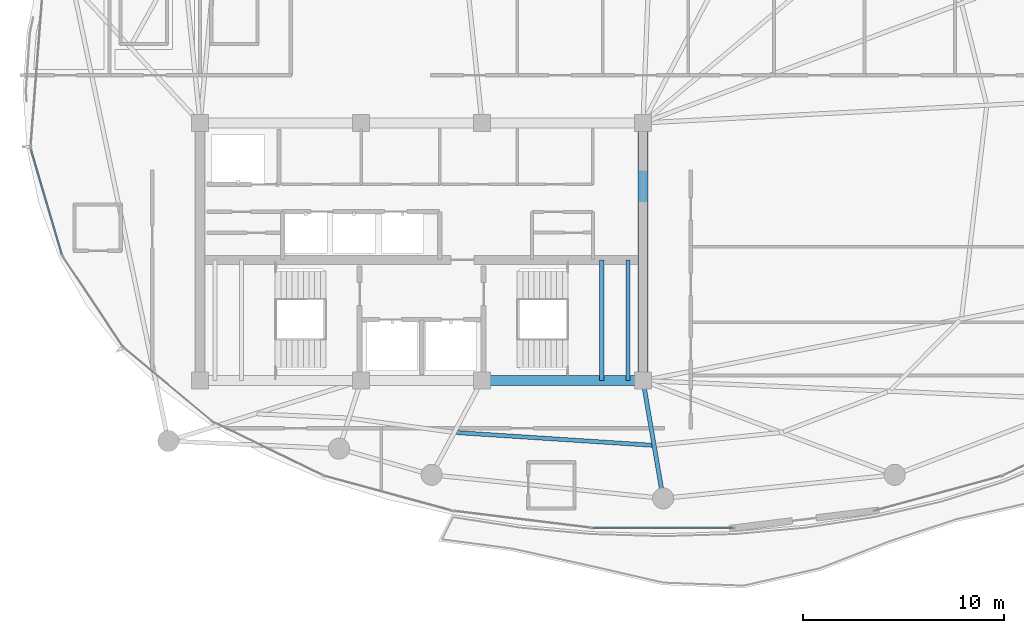
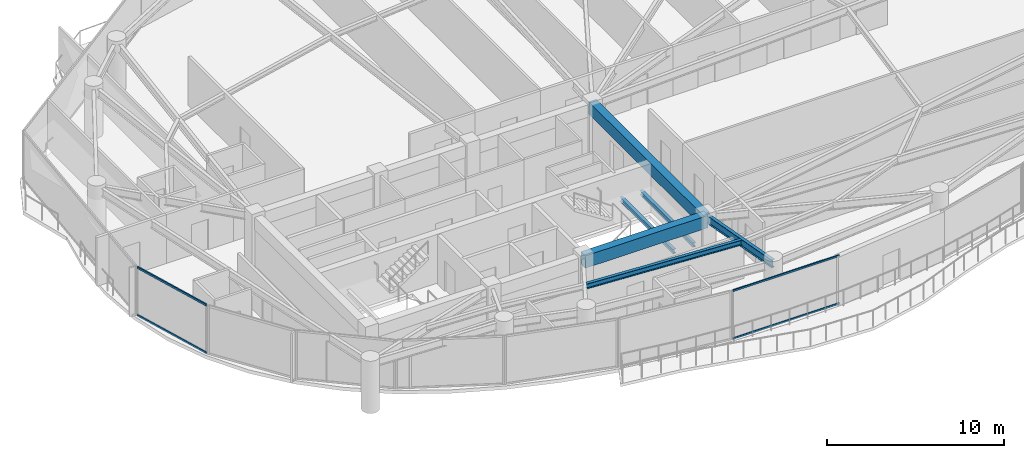
# One storey, part 7 of 31: 6 beams, 4 members, 2 elements without a shape of their own.
"""IFC4 building model written with IfcOpenShell, lengths in metres."""

from ifc_helpers import new_model, si_unit, direction, frame, origin, origin_2d, place, context, subcontext, project, spatial, rectangle, hollow_rectangle, i_section, extrude, material, layer, layer_set, material_profile, profile_set, type_object, element, aggregate, save


model = new_model("IFC4")

# Units and contexts
model_context = context("Model", 3, precision=1e-05, world=origin(), true_north=direction((0.0, 1.0)))
body_context = subcontext(model_context, "Body", "Model", "MODEL_VIEW")
ifc_project = project(units=[si_unit("LENGTHUNIT", "METRE"), si_unit("AREAUNIT", "SQUARE_METRE"), si_unit("VOLUMEUNIT", "CUBIC_METRE"), si_unit("PLANEANGLEUNIT", "RADIAN"), si_unit("MASSUNIT", "GRAM", prefix="KILO")], contexts=[model_context])

# Site, building, storey
site_placement = place(None, origin())
site = spatial("IfcSite", under=ifc_project, at=site_placement, CompositionType="ELEMENT")
building_placement = place(site_placement, origin())
building = spatial("IfcBuilding", under=site, at=building_placement, Name="Kazevale Care Tower and Concert Hall", CompositionType="ELEMENT")
storey_placement = place(building_placement, frame((0.0, 0.0, 220.800048828125)))
storey = spatial("IfcBuildingStorey", under=building, at=storey_placement, Name="L58", CompositionType="ELEMENT", Elevation=220.800048828125)

# Curtain wall, members
ifc_material_1 = material(Name="Aluminium 6063-T6 and Low-E Glass", Category="aluminium")
ifc_layer_1 = layer(ifc_material_1, 0.179931640625)
ifc_layer_set_1 = layer_set([ifc_layer_1], Name="Aluminium 6063-T6 and Low-E Glass")
curtain_wall_type_1 = type_object("IfcCurtainWallType", Name="Waist & Upper Residential Curtain Wall CW-4", PredefinedType="NOTDEFINED", material=ifc_layer_set_1)
curtain_wall_1_placement = place(storey_placement, origin())
curtain_wall_1 = element("IfcCurtainWall", 1, at=curtain_wall_1_placement, inside=storey, type_object=curtain_wall_type_1, Name="cw:L58:f12", PredefinedType="NOTDEFINED")
ifc_material_2 = material(Name="Aluminium 6063-T6", Category="aluminium")
ifc_material_profile_1 = material_profile(ifc_material_2, hollow_rectangle(XDim=0.080078125, YDim=0.139892578125, WallThickness=0.00390625, at=origin_2d()), Name="ALU80x140x4")
ifc_profile_set_1 = profile_set([ifc_material_profile_1], Name="Aluminium 6063-T6")
member_type_1 = type_object("IfcMemberType", Name="CW-4 Transom ALU80x140x4", PredefinedType="USERDEFINED", material=ifc_profile_set_1)
member_1_placement = place(storey_placement, frame((15.12548828125, 29.897705078125, 0.0400390625), z_axis=(-0.282102705943, 0.95938421047, 0.0), x_axis=(-0.95938421047, -0.282102705943, 0.0)))
member_1 = element("IfcMember", 2, at=member_1_placement, type_object=member_type_1, Name="CW-4 transom 1.1", ObjectType="TRANSOM", PredefinedType="USERDEFINED", context=body_context, shape_type="SweptSolid", body=[
    extrude(hollow_rectangle(XDim=0.080078125, YDim=0.139892578125, WallThickness=0.00390625, at=origin_2d()), origin(), (0.0, 0.0, 1.0), 5.402099609375),
])
member_2_placement = place(storey_placement, frame((15.12548828125, 29.897705078125, 3.320068359375), z_axis=(-0.282102705943, 0.95938421047, 0.0), x_axis=(-0.95938421047, -0.282102705943, 0.0)))
member_2 = element("IfcMember", 3, at=member_2_placement, type_object=member_type_1, Name="CW-4 transom 1.2", ObjectType="TRANSOM", PredefinedType="USERDEFINED", context=body_context, shape_type="SweptSolid", body=[
    extrude(hollow_rectangle(XDim=0.080078125, YDim=0.139892578125, WallThickness=0.00390625, at=origin_2d()), origin(), (0.0, 0.0, 1.0), 5.402099609375),
])
aggregate(curtain_wall_1, [member_1, member_2])

ifc_layer_2 = layer(ifc_material_1, 0.179931640625)
ifc_layer_set_2 = layer_set([ifc_layer_2], Name="Aluminium 6063-T6 and Low-E Glass")
curtain_wall_type_2 = type_object("IfcCurtainWallType", Name="Sheltered Concave Balcony Curtain Wall CW-5", PredefinedType="NOTDEFINED", material=ifc_layer_set_2)
curtain_wall_2_placement = place(storey_placement, origin())
curtain_wall_2 = element("IfcCurtainWall", 4, at=curtain_wall_2_placement, inside=storey, type_object=curtain_wall_type_2, Name="cw:L58:f06", PredefinedType="NOTDEFINED")
ifc_material_profile_2 = material_profile(ifc_material_2, hollow_rectangle(XDim=0.074951171875, YDim=0.1201171875, WallThickness=0.00390625, at=origin_2d()), Name="ALU75x120x4")
ifc_profile_set_2 = profile_set([ifc_material_profile_2], Name="Aluminium 6063-T6")
member_type_2 = type_object("IfcMemberType", Name="CW-5 Transom ALU75x120x4", PredefinedType="USERDEFINED", material=ifc_profile_set_2)
member_3_placement = place(storey_placement, frame((48.47509765625, 16.284912109375, 0.037353515625), z_axis=(-1.0, 0.0, 0.0), x_axis=(0.0, -1.0, 0.0)))
member_3 = element("IfcMember", 5, at=member_3_placement, type_object=member_type_2, Name="CW-5 transom 1.1", ObjectType="TRANSOM", PredefinedType="USERDEFINED", context=body_context, shape_type="SweptSolid", body=[
    extrude(hollow_rectangle(XDim=0.074951171875, YDim=0.1201171875, WallThickness=0.00390625, at=origin_2d()), origin(), (0.0, 0.0, 1.0), 6.9501953125),
])
member_4_placement = place(storey_placement, frame((48.47509765625, 16.284912109375, 3.322509765625), z_axis=(-1.0, 0.0, 0.0), x_axis=(0.0, -1.0, 0.0)))
member_4 = element("IfcMember", 6, at=member_4_placement, type_object=member_type_2, Name="CW-5 transom 1.2", ObjectType="TRANSOM", PredefinedType="USERDEFINED", context=body_context, shape_type="SweptSolid", body=[
    extrude(hollow_rectangle(XDim=0.074951171875, YDim=0.1201171875, WallThickness=0.00390625, at=origin_2d()), origin(), (0.0, 0.0, 1.0), 6.9501953125),
])
aggregate(curtain_wall_2, [member_3, member_4])

# Beams
ifc_material_3 = material(Name="Concrete C60", Category="concrete")
ifc_material_profile_3 = material_profile(ifc_material_3, rectangle(XDim=0.5, YDim=0.85009765625, at=origin_2d()), Name="RC-B500x850")
ifc_profile_set_3 = profile_set([ifc_material_profile_3], Name="Concrete C60")
beam_type_1 = type_object("IfcBeamType", Name="Core Coupling Beam RC500x850", PredefinedType="LINTEL", material=ifc_profile_set_3)
beam_1_placement = place(storey_placement, frame((36.0, 23.60009765625, 2.93505859375), z_axis=(1.0, 0.0, 0.0), x_axis=(0.0, 1.0, 0.0)))
element("IfcBeam", 7, at=beam_1_placement, inside=storey, type_object=beam_type_1, Name="beam:L58:coretie:3", PredefinedType="LINTEL", context=body_context, shape_type="SweptSolid", body=[
    extrude(rectangle(XDim=0.5, YDim=0.85009765625, at=origin_2d()), origin(), (0.0, 0.0, 1.0), 8.0),
])
beam_2_placement = place(storey_placement, frame((44.0, 23.60009765625, 2.93505859375), z_axis=(0.0, 1.0, 0.0), x_axis=(-1.0, 0.0, 0.0)))
element("IfcBeam", 8, at=beam_2_placement, inside=storey, type_object=beam_type_1, Name="beam:L58:coretie:4", PredefinedType="LINTEL", context=body_context, shape_type="SweptSolid", body=[
    extrude(rectangle(XDim=0.5, YDim=0.85009765625, at=origin_2d()), origin(), (0.0, 0.0, 1.0), 12.7998046875),
])
ifc_material_4 = material(Name="Steel ASTM A572 Gr 50", Category="steel")
ifc_material_profile_4 = material_profile(ifc_material_4, i_section(OverallWidth=0.2119140625, OverallDepth=0.5439453125, WebThickness=0.01318359375, FlangeThickness=0.021240234375, at=origin_2d()), Name="W530x123")
ifc_profile_set_4 = profile_set([ifc_material_profile_4], Name="Steel ASTM A572 Gr 50")
beam_type_2 = type_object("IfcBeamType", Name="Radial Floor Girder W530x123", PredefinedType="BEAM", material=ifc_profile_set_4)
beam_3_placement = place(storey_placement, frame((44.0, 23.60009765625, 3.087890625), z_axis=(0.168493389607, -0.985702783631, 0.0), x_axis=(0.985702783631, 0.168493389607, 0.0)))
element("IfcBeam", 9, at=beam_3_placement, inside=storey, type_object=beam_type_2, Name="beam:L58:rad:13", PredefinedType="BEAM", context=body_context, shape_type="SweptSolid", body=[
    extrude(i_section(OverallWidth=0.2119140625, OverallDepth=0.5439453125, WebThickness=0.01318359375, FlangeThickness=0.021240234375, at=origin_2d()), origin(), (0.0, 0.0, 1.0), 5.93505859375),
])
ifc_material_profile_5 = material_profile(ifc_material_4, i_section(OverallWidth=0.205078125, OverallDepth=0.35400390625, WebThickness=0.009521484375, FlangeThickness=0.016845703125, at=origin_2d()), Name="W360x79")
ifc_profile_set_5 = profile_set([ifc_material_profile_5], Name="Steel ASTM A572 Gr 50")
beam_type_3 = type_object("IfcBeamType", Name="Secondary Floor Joist W360x79", PredefinedType="JOIST", material=ifc_profile_set_5)
beam_4_placement = place(storey_placement, frame((34.72998046875, 21.01904296875, 3.182861328125), z_axis=(0.997903161374, -0.064724651559, 0.0), x_axis=(0.064724651559, 0.997903161374, 0.0)))
element("IfcBeam", 10, at=beam_4_placement, inside=storey, type_object=beam_type_3, Name="beam:L58:joist:12", PredefinedType="JOIST", context=body_context, shape_type="SweptSolid", body=[
    extrude(i_section(OverallWidth=0.205078125, OverallDepth=0.35400390625, WebThickness=0.009521484375, FlangeThickness=0.016845703125, at=origin_2d()), origin(), (0.0, 0.0, 1.0), 9.735595703125),
])
ifc_material_profile_6 = material_profile(ifc_material_4, i_section(OverallWidth=0.202880859375, OverallDepth=0.302978515625, WebThickness=0.007568359375, FlangeThickness=0.01318359375, at=origin_2d()), Name="W310x60")
ifc_profile_set_6 = profile_set([ifc_material_profile_6], Name="Steel ASTM A572 Gr 50")
beam_type_4 = type_object("IfcBeamType", Name="Stair & Balcony Trimmer W310x60", PredefinedType="BEAM", material=ifc_profile_set_6)
for number, where, z_axis, x_axis, name in (
    (11, (41.949951171875, 23.60009765625, 1.448486328125), (0.0, 1.0, 0.0), (-1.0, 0.0, 0.0), "beam:L58:sttrim:ST2"),
    (12, (43.25, 23.60009765625, 1.448486328125), (0.0, 1.0, 0.0), (-1.0, 0.0, 0.0), "beam:L58:sttrim:ST2b"),
):
    element("IfcBeam", number, at=place(storey_placement, frame(where, z_axis=z_axis, x_axis=x_axis)), inside=storey, type_object=beam_type_4, Name=name, PredefinedType="BEAM", context=body_context, shape_type="SweptSolid", body=[
        extrude(i_section(OverallWidth=0.202880859375, OverallDepth=0.302978515625, WebThickness=0.007568359375, FlangeThickness=0.01318359375, at=origin_2d()), origin(), (0.0, 0.0, 1.0), 6.0),
    ])

save(model, "model.ifc")
